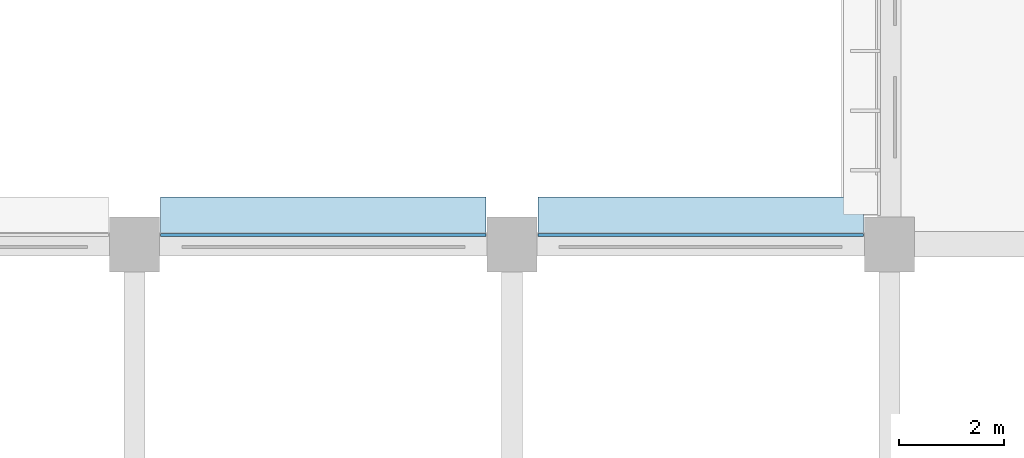
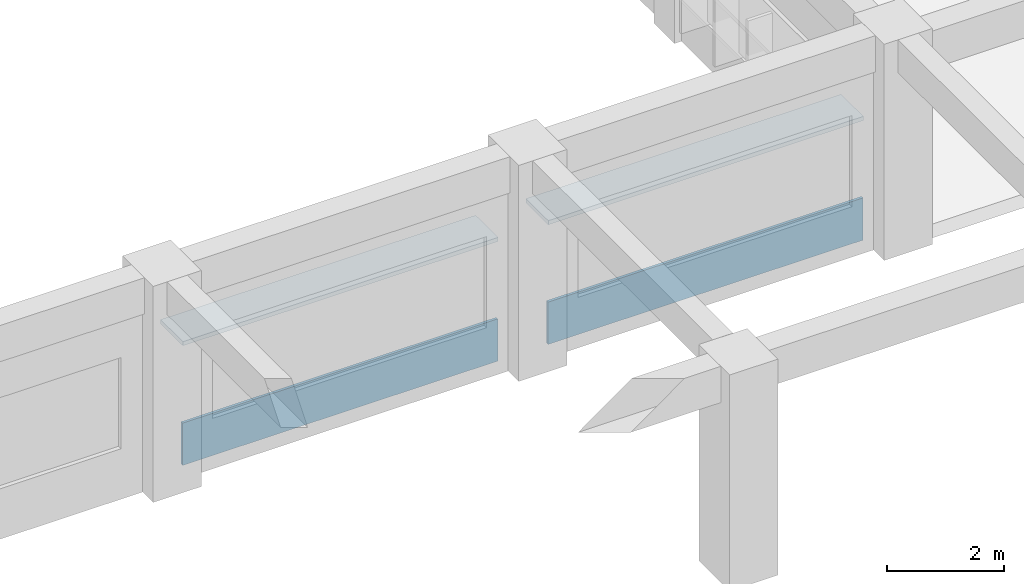
# One storey, part 22 of 61: 4 plates.
"""IFC4 building model written with IfcOpenShell, lengths in metres."""

from ifc_helpers import new_model, si_unit, direction, frame, origin, origin_2d, place, context, subcontext, project, spatial, rectangle, extrude, material, layer, layer_set, type_object, element, save


model = new_model("IFC4")

# Units and contexts
model_context = context("Model", 3, precision=1e-05, world=origin(), true_north=direction((0.0, 1.0)))
body_context = subcontext(model_context, "Body", "Model", "MODEL_VIEW")
ifc_project = project(units=[si_unit("LENGTHUNIT", "METRE"), si_unit("AREAUNIT", "SQUARE_METRE"), si_unit("VOLUMEUNIT", "CUBIC_METRE"), si_unit("PLANEANGLEUNIT", "RADIAN"), si_unit("MASSUNIT", "GRAM", prefix="KILO")], contexts=[model_context])

# Site, building, storey
site_placement = place(None, origin())
site = spatial("IfcSite", under=ifc_project, at=site_placement, CompositionType="ELEMENT")
building_placement = place(site_placement, origin())
building = spatial("IfcBuilding", under=site, at=building_placement, Name="Thalmaran Polytechnic", CompositionType="ELEMENT")
storey_placement = place(building_placement, frame((0.0, 0.0, 9.89990234375)))
storey = spatial("IfcBuildingStorey", under=building, at=storey_placement, Name="L02", CompositionType="ELEMENT", Elevation=9.89990234375)

# Plates
ifc_material_1 = material(Name="Anodised aluminium spandrel band", Category="aluminium")
ifc_layer_1 = layer(ifc_material_1, 0.054931640625, Name="Anodised aluminium spandrel band")
ifc_layer_set_1 = layer_set([ifc_layer_1], Name="Anodised aluminium spandrel band")
plate_type_1 = type_object("IfcPlateType", Name="PT-BD01", PredefinedType="SHEET", material=ifc_layer_set_1)
for number, where, z_axis, x_axis, name in (
    (1, (118.800048828125, 57.780029296875, 0.020263671875), (0.0, 0.0, 1.0), (1.0, 0.0, 0.0), "Streamline Horizontal Spandrel Band L02-157"),
    (2, (126.0, 57.780029296875, 0.020263671875), (0.0, 0.0, 1.0), (1.0, 0.0, 0.0), "Streamline Horizontal Spandrel Band L02-158"),
):
    element("IfcPlate", number, at=place(storey_placement, frame(where, z_axis=z_axis, x_axis=x_axis)), inside=storey, type_object=plate_type_1, Name=name, PredefinedType="SHEET", context=body_context, shape_type="SweptSolid", body=[
        extrude(rectangle(XDim=6.2099609375, YDim=0.054931640625, at=origin_2d()), origin(), (0.0, 0.0, 1.0), 0.8798828125),
    ])
ifc_material_2 = material(Name="Anodised aluminium sun-hood eyebrow", Category="aluminium")
ifc_layer_2 = layer(ifc_material_2, 0.0849609375, Name="Anodised aluminium sun-hood eyebrow")
ifc_layer_set_2 = layer_set([ifc_layer_2], Name="Anodised aluminium sun-hood eyebrow")
plate_type_2 = type_object("IfcPlateType", Name="PT-EB01", PredefinedType="SHEET", material=ifc_layer_set_2)
for number, where, z_axis, x_axis, name in (
    (3, (118.800048828125, 58.125, 2.517578125), (0.0, 0.0, 1.0), (1.0, 0.0, 0.0), "Streamline Sun-Hood Eyebrow L02-157"),
    (4, (126.0, 58.125, 2.517578125), (0.0, 0.0, 1.0), (1.0, 0.0, 0.0), "Streamline Sun-Hood Eyebrow L02-158"),
):
    element("IfcPlate", number, at=place(storey_placement, frame(where, z_axis=z_axis, x_axis=x_axis)), inside=storey, type_object=plate_type_2, Name=name, PredefinedType="SHEET", context=body_context, shape_type="SweptSolid", body=[
        extrude(rectangle(XDim=6.2099609375, YDim=0.760009765625, at=origin_2d()), origin(), (0.0, 0.0, 1.0), 0.0849609375),
    ])

save(model, "model.ifc")
